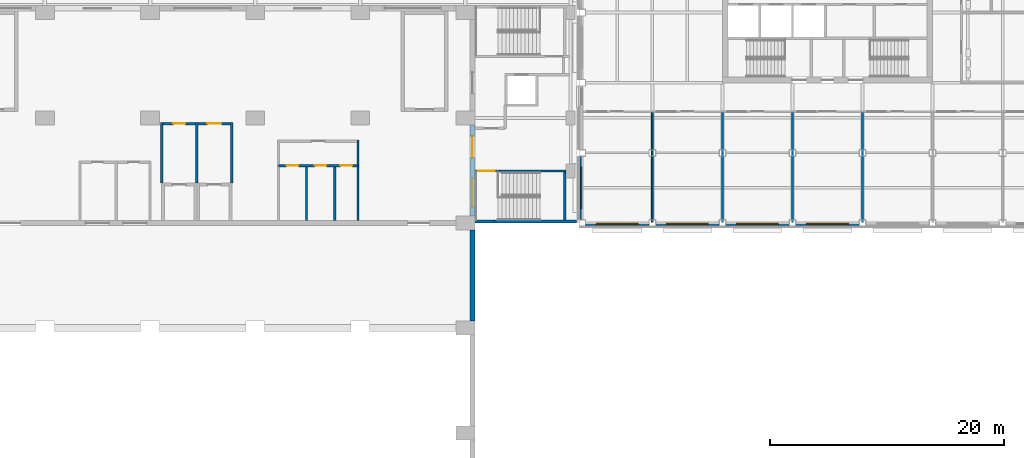
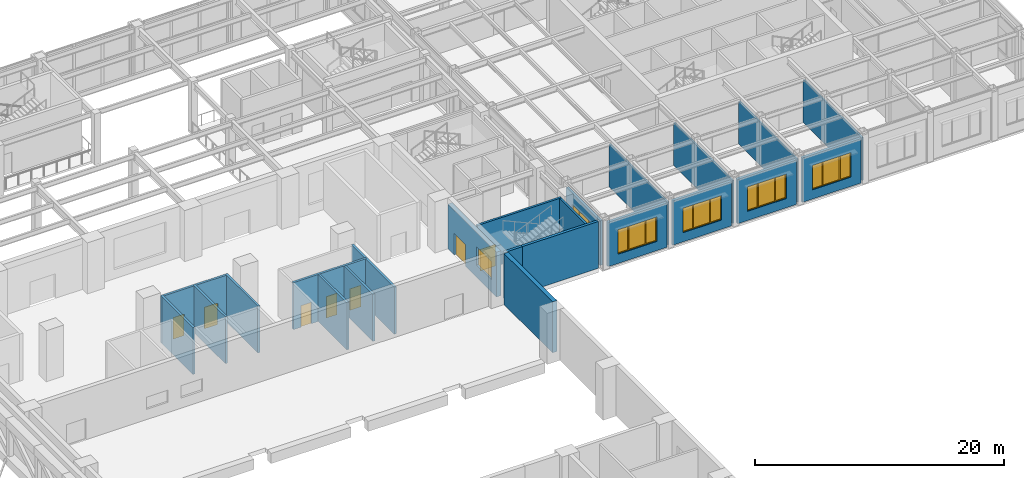
# One storey, part 39 of 76: 23 walls, 7 doors, 6 windows, 13 openings.
"""IFC4 building model written with IfcOpenShell, lengths in metres."""

from ifc_helpers import new_model, si_unit, direction, frame, frame_2d, origin, place, context, subcontext, project, spatial, polyline, rectangle, outline, extrude, material, layer, layer_set, type_object, element, fill, save


model = new_model("IFC4")

# Units and contexts
model_context = context("Model", 3, precision=1e-05, world=origin(), true_north=direction((0.0, 1.0)))
body_context = subcontext(model_context, "Body", "Model", "MODEL_VIEW")
ifc_project = project(units=[si_unit("LENGTHUNIT", "METRE"), si_unit("AREAUNIT", "SQUARE_METRE"), si_unit("VOLUMEUNIT", "CUBIC_METRE"), si_unit("PLANEANGLEUNIT", "RADIAN"), si_unit("MASSUNIT", "GRAM", prefix="KILO")], contexts=[model_context])

# Site, building, storey
site_placement = place(None, origin())
site = spatial("IfcSite", under=ifc_project, at=site_placement, CompositionType="ELEMENT")
building_placement = place(site_placement, origin())
building = spatial("IfcBuilding", under=site, at=building_placement, Name="Aravalli Gate Trade Fair Centre", CompositionType="ELEMENT")
storey_placement = place(building_placement, frame((0.0, 0.0, 10.0)))
storey = spatial("IfcBuildingStorey", under=building, at=storey_placement, Name="L02", CompositionType="ELEMENT", Elevation=10.0)

# Wall
ifc_material_1 = material(Name="Concrete M40", Category="concrete")
ifc_layer_1 = layer(ifc_material_1, 0.25, Name="Structural wall")
ifc_material_2 = material(Name="Ventilated air cavity")
ifc_layer_2 = layer(ifc_material_2, 0.050048828125, ventilated=True, Name="Ventilated cavity")
ifc_material_3 = material(Name="Terracotta rainscreen", Category="masonry")
ifc_layer_3 = layer(ifc_material_3, 0.10009765625, Name="Rainscreen cladding")
ifc_layer_set_1 = layer_set([ifc_layer_1, ifc_layer_2, ifc_layer_3], Name="Congress external wall 400")
wall_type_1 = type_object("IfcWallType", Name="Congress external wall 400", PredefinedType="SOLIDWALL", material=ifc_layer_set_1)
wall_1_placement = place(storey_placement, frame((150.60009765625, 82.60009765625, 0.0), z_axis=(0.0, 0.0, 1.0), x_axis=(0.0, 1.0, 0.0)))
element("IfcWall", 1, at=wall_1_placement, inside=storey, type_object=wall_type_1, Name="East wall L02 bay 5", PredefinedType="SOLIDWALL", context=body_context, shape_type="SweptSolid", body=[
    extrude(rectangle(XDim=7.7998046875, YDim=0.39990234375, at=frame_2d((3.89990234375, 0.0))), origin(), (0.0, 0.0, 1.0), 5.0),
])

# Wall, openings, door, window
wall_2_placement = place(storey_placement, frame((150.60009765625, 91.60009765625, 0.0), z_axis=(0.0, 0.0, 1.0), x_axis=(0.0, 1.0, 0.0)))
wall_2 = element("IfcWall", 2, at=wall_2_placement, inside=storey, type_object=wall_type_1, Name="East wall L02 bay 6", PredefinedType="SOLIDWALL", context=body_context, shape_type="SweptSolid", body=[
    extrude(rectangle(XDim=7.7998046875, YDim=0.39990234375, at=frame_2d((3.89990234375, 0.0))), origin(), (0.0, 0.0, 1.0), 4.39990234375),
])
opening_1_placement = place(wall_2_placement, frame((5.0, 0.0, 0.0)))
opening_1 = element("IfcOpeningElement", 3, at=opening_1_placement, cuts=wall_2, Name="Opening G-L02-01", PredefinedType="OPENING", context=body_context, shape_type="SweptSolid", body=[
    extrude(rectangle(XDim=1.800048828125, YDim=2.10009765625, at=frame_2d((0.89990234375, 1.050048828125))), frame((0.0, 0.2099609375, 0.0), z_axis=(0.0, -1.0, 0.0), x_axis=(1.0, 0.0, 0.0)), (0.0, 0.0, 1.0), 0.419921875),
])
opening_2_placement = place(wall_2_placement, frame((0.800048828125, 0.0, 1.199951171875)))
opening_2 = element("IfcOpeningElement", 4, at=opening_2_placement, cuts=wall_2, Name="Opening GWN4", PredefinedType="OPENING", context=body_context, shape_type="SweptSolid", body=[
    extrude(rectangle(XDim=2.39990234375, YDim=1.800048828125, at=frame_2d((1.199951171875, 0.89990234375))), frame((0.0, 0.2099609375, 0.0), z_axis=(0.0, -1.0, 0.0), x_axis=(1.0, 0.0, 0.0)), (0.0, 0.0, 1.0), 0.419921875),
])
ifc_material_4 = material(Name="Steel, fire rated", Category="steel")
door_type_1 = type_object("IfcDoorType", Name="Congress fire door FD120 1800 x 2100 double door single swing", OperationType="DOUBLE_DOOR_SINGLE_SWING", PredefinedType="DOOR", material=ifc_material_4)
door_1_placement = place(opening_1_placement, origin())
door_1 = element("IfcDoor", 5, at=door_1_placement, inside=storey, type_object=door_type_1, Name="Link door L02 1", OperationType="DOUBLE_DOOR_SINGLE_SWING", OverallHeight=2.10009765625, OverallWidth=1.800048828125, PredefinedType="DOOR", context=body_context, shape_type="SweptSolid", body=[
    extrude(rectangle(XDim=1.800048828125, YDim=2.10009765625, at=frame_2d((0.89990234375, 1.050048828125))), frame((0.0, 0.02490234375, 0.0), z_axis=(0.0, -1.0, 0.0), x_axis=(1.0, 0.0, 0.0)), (0.0, 0.0, 1.0), 0.050048828125),
])
fill(opening_1, door_1)
ifc_material_5 = material(Name="Aluminium and glass", Category="aluminium")
window_type_1 = type_object("IfcWindowType", Name="Congress wing window 2400 x 1800", PartitioningType="DOUBLE_PANEL_VERTICAL", PredefinedType="WINDOW", material=ifc_material_5)
window_1_placement = place(opening_2_placement, origin())
window_1 = element("IfcWindow", 6, at=window_1_placement, inside=storey, type_object=window_type_1, Name="East window L02 bay 6", OverallHeight=1.800048828125, OverallWidth=2.39990234375, PartitioningType="SINGLE_PANEL", PredefinedType="WINDOW", context=body_context, shape_type="SweptSolid", body=[
    extrude(rectangle(XDim=2.39990234375, YDim=1.800048828125, at=frame_2d((1.199951171875, 0.89990234375))), frame((0.0, 0.030029296875, 0.0), z_axis=(0.0, -1.0, 0.0), x_axis=(1.0, 0.0, 0.0)), (0.0, 0.0, 1.0), 0.06005859375),
])
fill(opening_2, window_1)

# Walls
ifc_material_6 = material(Name="Concrete block masonry", Category="masonry")
ifc_layer_4 = layer(ifc_material_6, 0.199951171875)
ifc_layer_set_2 = layer_set([ifc_layer_4], Name="Concrete block masonry")
wall_type_2 = type_object("IfcWallType", Name="Congress partition 200", PredefinedType="PARTITIONING", material=ifc_layer_set_2)
for number, where, z_axis, x_axis, name in (
    (7, (124.0, 94.39990234375, 0.0), (0.0, 0.0, 1.0), (0.0, 1.0, 0.0), "Lift lobby wall W L02"),
    (8, (127.0, 94.39990234375, 0.0), (0.0, 0.0, 1.0), (0.0, 1.0, 0.0), "Lift lobby wall M L02"),
    (9, (130.0, 94.39990234375, 0.0), (0.0, 0.0, 1.0), (0.0, 1.0, 0.0), "Lift lobby wall E L02"),
):
    element("IfcWall", number, at=place(storey_placement, frame(where, z_axis=z_axis, x_axis=x_axis)), inside=storey, type_object=wall_type_2, Name=name, PredefinedType="PARTITIONING", context=body_context, shape_type="SweptSolid", body=[
        extrude(rectangle(XDim=5.2001953125, YDim=0.199951171875, at=frame_2d((2.60009765625, 0.0))), origin(), (0.0, 0.0, 1.0), 4.60009765625),
    ])

# Wall, openings, doors
wall_3_placement = place(storey_placement, frame((123.89990234375, 99.5, 0.0), z_axis=(0.0, 0.0, 1.0), x_axis=(1.0, 0.0, 0.0)))
wall_3 = element("IfcWall", 10, at=wall_3_placement, inside=storey, type_object=wall_type_2, Name="Lift lobby wall N L02", PredefinedType="PARTITIONING", context=body_context, shape_type="SweptSolid", body=[
    extrude(rectangle(XDim=6.2001953125, YDim=0.199951171875, at=frame_2d((3.10009765625, 0.0))), origin(), (0.0, 0.0, 1.0), 4.60009765625),
])
opening_3_placement = place(wall_3_placement, frame((1.10009765625, 0.0, 0.0)))
opening_3 = element("IfcOpeningElement", 11, at=opening_3_placement, cuts=wall_3, Name="Opening G-L02-11", PredefinedType="OPENING", context=body_context, shape_type="SweptSolid", body=[
    extrude(rectangle(XDim=1.0, YDim=2.10009765625, at=frame_2d((0.5, 1.050048828125))), frame((0.0, 0.10986328125, 0.0), z_axis=(0.0, -1.0, 0.0), x_axis=(1.0, 0.0, 0.0)), (0.0, 0.0, 1.0), 0.219970703125),
])
opening_4_placement = place(wall_3_placement, frame((4.0, 0.0, 0.0)))
opening_4 = element("IfcOpeningElement", 12, at=opening_4_placement, cuts=wall_3, Name="Opening G-L02-12", PredefinedType="OPENING", context=body_context, shape_type="SweptSolid", body=[
    extrude(rectangle(XDim=1.199951171875, YDim=2.10009765625, at=frame_2d((0.60009765625, 1.050048828125))), frame((0.0, 0.10986328125, 0.0), z_axis=(0.0, -1.0, 0.0), x_axis=(1.0, 0.0, 0.0)), (0.0, 0.0, 1.0), 0.219970703125),
])
door_type_2 = type_object("IfcDoorType", Name="Congress fire door FD120 1200 x 2100", OperationType="SINGLE_SWING_LEFT", PredefinedType="DOOR", material=ifc_material_4)
door_2_placement = place(opening_4_placement, frame((1.199951171875, 0.0, 0.0), z_axis=(0.0, 0.0, 1.0), x_axis=(-1.0, 0.0, 0.0)))
door_2 = element("IfcDoor", 13, at=door_2_placement, inside=storey, type_object=door_type_2, Name="Firefighting lobby door L02", OperationType="SINGLE_SWING_LEFT", OverallHeight=2.10009765625, OverallWidth=1.199951171875, PredefinedType="DOOR", context=body_context, shape_type="SweptSolid", body=[
    extrude(rectangle(XDim=1.199951171875, YDim=2.10009765625, at=frame_2d((0.60009765625, 1.050048828125))), frame((0.0, 0.02490234375, 0.0), z_axis=(0.0, -1.0, 0.0), x_axis=(1.0, 0.0, 0.0)), (0.0, 0.0, 1.0), 0.050048828125),
])
fill(opening_4, door_2)
door_type_3 = type_object("IfcDoorType", Name="Congress fire door FD60 1000 x 2100", OperationType="SINGLE_SWING_LEFT", PredefinedType="DOOR", material=ifc_material_4)
door_3_placement = place(opening_3_placement, origin())
door_3 = element("IfcDoor", 14, at=door_3_placement, inside=storey, type_object=door_type_3, Name="Lift lobby door L02", OperationType="SINGLE_SWING_LEFT", OverallHeight=2.10009765625, OverallWidth=1.0, PredefinedType="DOOR", context=body_context, shape_type="SweptSolid", body=[
    extrude(rectangle(XDim=1.0, YDim=2.10009765625, at=frame_2d((0.5, 1.050048828125))), frame((0.0, 0.02490234375, 0.0), z_axis=(0.0, -1.0, 0.0), x_axis=(1.0, 0.0, 0.0)), (0.0, 0.0, 1.0), 0.050048828125),
])
fill(opening_3, door_3)

# Wall
wall_4_placement = place(storey_placement, frame((140.800048828125, 91.199951171875, 0.0), z_axis=(0.0, 0.0, 1.0), x_axis=(0.0, 1.0, 0.0)))
element("IfcWall", 15, at=wall_4_placement, inside=storey, type_object=wall_type_2, Name="WC block wall E L02", PredefinedType="PARTITIONING", context=body_context, shape_type="SweptSolid", body=[
    extrude(rectangle(XDim=6.900146484375, YDim=0.199951171875, at=frame_2d((3.4501953125, 0.0))), origin(), (0.0, 0.0, 1.0), 4.60009765625),
])

# Wall, openings, doors
wall_5_placement = place(storey_placement, frame((134.0, 95.89990234375, 0.0), z_axis=(0.0, 0.0, 1.0), x_axis=(1.0, 0.0, 0.0)))
wall_5 = element("IfcWall", 16, at=wall_5_placement, inside=storey, type_object=wall_type_2, Name="WC block partition L02", PredefinedType="PARTITIONING", context=body_context, shape_type="SweptSolid", body=[
    extrude(rectangle(XDim=6.800048828125, YDim=0.199951171875, at=frame_2d((3.39990234375, 0.0))), origin(), (0.0, 0.0, 1.0), 4.60009765625),
])
opening_5_placement = place(wall_5_placement, frame((0.699951171875, 0.0, 0.0)))
opening_5 = element("IfcOpeningElement", 17, at=opening_5_placement, cuts=wall_5, Name="Opening G-L02-14", PredefinedType="OPENING", context=body_context, shape_type="SweptSolid", body=[
    extrude(rectangle(XDim=1.0, YDim=2.10009765625, at=frame_2d((0.5, 1.050048828125))), frame((0.0, 0.10986328125, 0.0), z_axis=(0.0, -1.0, 0.0), x_axis=(1.0, 0.0, 0.0)), (0.0, 0.0, 1.0), 0.219970703125),
])
opening_6_placement = place(wall_5_placement, frame((3.10009765625, 0.0, 0.0)))
opening_6 = element("IfcOpeningElement", 18, at=opening_6_placement, cuts=wall_5, Name="Opening G-L02-15", PredefinedType="OPENING", context=body_context, shape_type="SweptSolid", body=[
    extrude(rectangle(XDim=1.0, YDim=2.10009765625, at=frame_2d((0.5, 1.050048828125))), frame((0.0, 0.10986328125, 0.0), z_axis=(0.0, -1.0, 0.0), x_axis=(1.0, 0.0, 0.0)), (0.0, 0.0, 1.0), 0.219970703125),
])
opening_7_placement = place(wall_5_placement, frame((5.300048828125, 0.0, 0.0)))
opening_7 = element("IfcOpeningElement", 19, at=opening_7_placement, cuts=wall_5, Name="Opening G-L02-16", PredefinedType="OPENING", context=body_context, shape_type="SweptSolid", body=[
    extrude(rectangle(XDim=1.0, YDim=2.10009765625, at=frame_2d((0.5, 1.050048828125))), frame((0.0, 0.10986328125, 0.0), z_axis=(0.0, -1.0, 0.0), x_axis=(1.0, 0.0, 0.0)), (0.0, 0.0, 1.0), 0.219970703125),
])
ifc_material_7 = material(Name="Timber and steel", Category="steel")
door_type_4 = type_object("IfcDoorType", Name="Congress door 1000 x 2100", OperationType="SINGLE_SWING_LEFT", PredefinedType="DOOR", material=ifc_material_7)
door_4_placement = place(opening_5_placement, frame((1.0, 0.0, 0.0), z_axis=(0.0, 0.0, 1.0), x_axis=(-1.0, 0.0, 0.0)))
door_4 = element("IfcDoor", 20, at=door_4_placement, inside=storey, type_object=door_type_4, Name="Gents WC door L02", OperationType="SINGLE_SWING_RIGHT", OverallHeight=2.10009765625, OverallWidth=1.0, PredefinedType="DOOR", context=body_context, shape_type="SweptSolid", body=[
    extrude(rectangle(XDim=1.0, YDim=2.10009765625, at=frame_2d((0.5, 1.050048828125))), frame((0.0, 0.02490234375, 0.0), z_axis=(0.0, -1.0, 0.0), x_axis=(1.0, 0.0, 0.0)), (0.0, 0.0, 1.0), 0.050048828125),
])
fill(opening_5, door_4)
door_5_placement = place(opening_6_placement, frame((1.0, 0.0, 0.0), z_axis=(0.0, 0.0, 1.0), x_axis=(-1.0, 0.0, 0.0)))
door_5 = element("IfcDoor", 21, at=door_5_placement, inside=storey, type_object=door_type_4, Name="Ladies WC door L02", OperationType="SINGLE_SWING_LEFT", OverallHeight=2.10009765625, OverallWidth=1.0, PredefinedType="DOOR", context=body_context, shape_type="SweptSolid", body=[
    extrude(rectangle(XDim=1.0, YDim=2.10009765625, at=frame_2d((0.5, 1.050048828125))), frame((0.0, 0.02490234375, 0.0), z_axis=(0.0, -1.0, 0.0), x_axis=(1.0, 0.0, 0.0)), (0.0, 0.0, 1.0), 0.050048828125),
])
fill(opening_6, door_5)
door_6_placement = place(opening_7_placement, frame((1.0, 0.0, 0.0), z_axis=(0.0, 0.0, 1.0), x_axis=(-1.0, 0.0, 0.0)))
door_6 = element("IfcDoor", 22, at=door_6_placement, inside=storey, type_object=door_type_4, Name="Accessible WC door L02", OperationType="SINGLE_SWING_LEFT", OverallHeight=2.10009765625, OverallWidth=1.0, PredefinedType="DOOR", context=body_context, shape_type="SweptSolid", body=[
    extrude(rectangle(XDim=1.0, YDim=2.10009765625, at=frame_2d((0.5, 1.050048828125))), frame((0.0, 0.02490234375, 0.0), z_axis=(0.0, -1.0, 0.0), x_axis=(1.0, 0.0, 0.0)), (0.0, 0.0, 1.0), 0.050048828125),
])
fill(opening_7, door_6)

# Walls
for number, where, z_axis, x_axis, name in (
    (23, (136.39990234375, 91.199951171875, 0.0), (0.0, 0.0, 1.0), (0.0, 1.0, 0.0), "WC partition 1 L02"),
    (24, (138.800048828125, 91.199951171875, 0.0), (0.0, 0.0, 1.0), (0.0, 1.0, 0.0), "WC partition 2 L02"),
):
    element("IfcWall", number, at=place(storey_placement, frame(where, z_axis=z_axis, x_axis=x_axis)), inside=storey, type_object=wall_type_2, Name=name, PredefinedType="PARTITIONING", context=body_context, shape_type="SweptSolid", body=[
        extrude(rectangle(XDim=4.60009765625, YDim=0.199951171875, at=frame_2d((2.300048828125, 0.0))), origin(), (0.0, 0.0, 1.0), 4.60009765625),
    ])
ifc_material_8 = material(Name="Concrete M30", Category="concrete")
ifc_layer_5 = layer(ifc_material_8, 0.2099609375, Name="Reinforced concrete")
ifc_material_9 = material(Name="Terracotta cladding", Category="masonry")
ifc_layer_6 = layer(ifc_material_9, 0.0400390625, Name="Terracotta cladding")
ifc_layer_set_3 = layer_set([ifc_layer_5, ifc_layer_6], Name="Link external wall 250")
wall_type_3 = type_object("IfcWallType", Name="Link external wall 250", PredefinedType="SOLIDWALL", material=ifc_layer_set_3)
wall_6_placement = place(storey_placement, frame((150.800048828125, 91.125, 0.0), z_axis=(0.0, 0.0, 1.0), x_axis=(1.0, 0.0, 0.0)))
element("IfcWall", 25, at=wall_6_placement, inside=storey, type_object=wall_type_3, Name="Link wall S1 L02", PredefinedType="SOLIDWALL", context=body_context, shape_type="SweptSolid", body=[
    extrude(rectangle(XDim=1.64990234375, YDim=0.25, at=frame_2d((0.824951171875, 0.0))), origin(), (0.0, 0.0, 1.0), 4.590087890625),
])
wall_7_placement = place(storey_placement, frame((152.449951171875, 91.125, 0.0), z_axis=(0.0, 0.0, 1.0), x_axis=(1.0, 0.0, 0.0)))
element("IfcWall", 26, at=wall_7_placement, inside=storey, type_object=wall_type_3, Name="Link wall S2 L02", PredefinedType="SOLIDWALL", context=body_context, shape_type="SweptSolid", body=[
    extrude(rectangle(XDim=7.050048828125, YDim=0.25, at=frame_2d((3.52490234375, 0.0))), origin(), (0.0, 0.0, 1.0), 4.590087890625),
])

# Wall, opening, door
ifc_layer_7 = layer(ifc_material_8, 0.199951171875)
ifc_layer_set_4 = layer_set([ifc_layer_7], Name="Concrete M30")
wall_type_4 = type_object("IfcWallType", Name="Link stair enclosure 200", PredefinedType="SOLIDWALL", material=ifc_layer_set_4)
wall_8_placement = place(storey_placement, frame((150.800048828125, 95.449951171875, 0.0), z_axis=(0.0, 0.0, 1.0), x_axis=(1.0, 0.0, 0.0)))
wall_8 = element("IfcWall", 27, at=wall_8_placement, inside=storey, type_object=wall_type_4, Name="Link wall LAN L02", PredefinedType="SOLIDWALL", context=body_context, shape_type="SweptSolid", body=[
    extrude(rectangle(XDim=7.800048828125, YDim=0.199951171875, at=frame_2d((3.89990234375, 0.0))), origin(), (0.0, 0.0, 1.0), 4.590087890625),
])
opening_8_placement = place(wall_8_placement, frame((0.300048828125, 0.0, 0.0)))
opening_8 = element("IfcOpeningElement", 28, at=opening_8_placement, cuts=wall_8, Name="Opening T-L02-191", PredefinedType="OPENING", context=body_context, shape_type="SweptSolid", body=[
    extrude(rectangle(XDim=1.39990234375, YDim=2.10009765625, at=frame_2d((0.699951171875, 1.050048828125))), frame((0.0, 0.10986328125, 0.0), z_axis=(0.0, -1.0, 0.0), x_axis=(1.0, 0.0, 0.0)), (0.0, 0.0, 1.0), 0.219970703125),
])
door_type_5 = type_object("IfcDoorType", Name="Wing fire door FD120 1400 x 2100", OperationType="DOUBLE_DOOR_SINGLE_SWING", PredefinedType="DOOR", material=ifc_material_4)
door_7_placement = place(opening_8_placement, frame((1.39990234375, 0.0, 0.0), z_axis=(0.0, 0.0, 1.0), x_axis=(-1.0, 0.0, 0.0)))
door_7 = element("IfcDoor", 29, at=door_7_placement, inside=storey, type_object=door_type_5, Name="Link door T-L02-191", OperationType="DOUBLE_DOOR_SINGLE_SWING", OverallHeight=2.10009765625, OverallWidth=1.39990234375, PredefinedType="DOOR", context=body_context, shape_type="SweptSolid", body=[
    extrude(rectangle(XDim=1.39990234375, YDim=2.10009765625, at=frame_2d((0.699951171875, 1.050048828125))), frame((0.0, 0.02490234375, 0.0), z_axis=(0.0, -1.0, 0.0), x_axis=(1.0, 0.0, 0.0)), (0.0, 0.0, 1.0), 0.050048828125),
])
fill(opening_8, door_7)

# Walls
wall_9_placement = place(storey_placement, frame((158.5, 91.25, 0.0), z_axis=(0.0, 0.0, 1.0), x_axis=(0.0, 1.0, 0.0)))
element("IfcWall", 30, at=wall_9_placement, inside=storey, type_object=wall_type_4, Name="Link wall LAE L02", PredefinedType="SOLIDWALL", context=body_context, shape_type="SweptSolid", body=[
    extrude(rectangle(XDim=4.10009765625, YDim=0.199951171875, at=frame_2d((2.050048828125, 0.0))), origin(), (0.0, 0.0, 1.0), 4.590087890625),
])
ifc_material_10 = material(Name="Blockwork with fire-rated lining", Category="masonry")
ifc_layer_8 = layer(ifc_material_10, 0.14990234375)
ifc_layer_set_5 = layer_set([ifc_layer_8], Name="Blockwork with fire-rated lining")
wall_type_5 = type_object("IfcWallType", Name="Wing partition 150 (EI 60, corridor wall)", PredefinedType="PARTITIONING", material=ifc_layer_set_5)
for number, where, z_axis, x_axis, name in (
    (31, (166.0, 91.050048828125, 0.0), (0.0, 0.0, 1.0), (0.0, 1.0, 0.0), "Partition SP1 L02"),
    (32, (172.0, 91.050048828125, 0.0), (0.0, 0.0, 1.0), (0.0, 1.0, 0.0), "Partition SP2 L02"),
    (33, (178.0, 91.050048828125, 0.0), (0.0, 0.0, 1.0), (0.0, 1.0, 0.0), "Partition SP3 L02"),
    (34, (184.0, 91.050048828125, 0.0), (0.0, 0.0, 1.0), (0.0, 1.0, 0.0), "Partition SP4 L02"),
):
    element("IfcWall", number, at=place(storey_placement, frame(where, z_axis=z_axis, x_axis=x_axis)), inside=storey, type_object=wall_type_5, Name=name, PredefinedType="PARTITIONING", context=body_context, shape_type="SweptSolid", body=[
        extrude(rectangle(XDim=9.39990234375, YDim=0.14990234375, at=frame_2d((4.699951171875, 0.0))), origin(), (0.0, 0.0, 1.0), 4.199951171875),
    ])

# Wall, opening, window
ifc_layer_9 = layer(ifc_material_6, 0.2099609375, Name="Block masonry")
ifc_layer_10 = layer(ifc_material_9, 0.0400390625, Name="Terracotta cladding")
ifc_layer_set_6 = layer_set([ifc_layer_9, ifc_layer_10], Name="Wing terracotta clad infill wall 250")
wall_type_6 = type_object("IfcWallType", Name="Wing terracotta clad infill wall 250", PredefinedType="SOLIDWALL", material=ifc_layer_set_6)
wall_10_placement = place(storey_placement, frame((160.27490234375, 90.925048828125, 0.0), z_axis=(0.0, 0.0, 1.0), x_axis=(1.0, 0.0, 0.0)))
wall_10 = element("IfcWall", 35, at=wall_10_placement, inside=storey, type_object=wall_type_6, Name="Facade wall S0 L02", PredefinedType="SOLIDWALL", context=body_context, shape_type="SweptSolid", body=[
    extrude(rectangle(XDim=5.4501953125, YDim=0.25, at=frame_2d((2.72509765625, 0.0))), origin(), (0.0, 0.0, 1.0), 4.35009765625),
])
opening_9_placement = place(wall_10_placement, frame((0.925048828125, 0.0, 0.89990234375)))
opening_9 = element("IfcOpeningElement", 36, at=opening_9_placement, cuts=wall_10, Name="Opening TWN1", PredefinedType="OPENING", context=body_context, shape_type="SweptSolid", body=[
    extrude(rectangle(XDim=3.60009765625, YDim=2.39990234375, at=frame_2d((1.800048828125, 1.199951171875))), frame((0.0, 0.135009765625, 0.0), z_axis=(0.0, -1.0, 0.0), x_axis=(1.0, 0.0, 0.0)), (0.0, 0.0, 1.0), 0.27001953125),
])
window_type_2 = type_object("IfcWindowType", Name="Wing chicago window 3600 x 2400", PartitioningType="TRIPLE_PANEL_VERTICAL", PredefinedType="WINDOW", material=ifc_material_5)
window_2_placement = place(opening_9_placement, origin())
window_2 = element("IfcWindow", 37, at=window_2_placement, inside=storey, type_object=window_type_2, Name="Window S0 L02", OverallHeight=2.39990234375, OverallWidth=3.60009765625, PartitioningType="TRIPLE_PANEL_VERTICAL", PredefinedType="WINDOW", context=body_context, shape_type="SweptSolid", body=[
    extrude(outline(polyline([(0.0, 0.0), (3.60009765625, 0.0), (3.60009765625, 2.39990234375), (0.0, 2.39990234375), (0.0, 0.0)]), holes=[polyline([(0.06005859375, 0.06005859375), (0.9599609375, 0.06005859375), (0.9599609375, 2.33984375), (0.06005859375, 2.33984375), (0.06005859375, 0.06005859375)]), polyline([(1.06005859375, 0.06005859375), (2.539794921875, 0.06005859375), (2.539794921875, 2.33984375), (1.06005859375, 2.33984375), (1.06005859375, 0.06005859375)]), polyline([(2.639892578125, 0.06005859375), (3.539794921875, 0.06005859375), (3.539794921875, 2.33984375), (2.639892578125, 2.33984375), (2.639892578125, 0.06005859375)])]), frame((0.0, 0.030029296875, 0.0), z_axis=(0.0, -1.0, 0.0), x_axis=(1.0, 0.0, 0.0)), (0.0, 0.0, 1.0), 0.06005859375),
    extrude(rectangle(XDim=0.923828125, YDim=2.3037109375, at=frame_2d((0.510009765625, 1.199951171875))), frame((0.0, 0.010009765625, 0.0), z_axis=(0.0, -1.0, 0.0), x_axis=(1.0, 0.0, 0.0)), (0.0, 0.0, 1.0), 0.02001953125),
    extrude(rectangle(XDim=1.503662109375, YDim=2.3037109375, at=frame_2d((1.7998046875, 1.199951171875))), frame((0.0, 0.010009765625, 0.0), z_axis=(0.0, -1.0, 0.0), x_axis=(1.0, 0.0, 0.0)), (0.0, 0.0, 1.0), 0.02001953125),
    extrude(rectangle(XDim=0.923828125, YDim=2.3037109375, at=frame_2d((3.08984375, 1.199951171875))), frame((0.0, 0.010009765625, 0.0), z_axis=(0.0, -1.0, 0.0), x_axis=(1.0, 0.0, 0.0)), (0.0, 0.0, 1.0), 0.02001953125),
])
fill(opening_9, window_2)

wall_11_placement = place(storey_placement, frame((166.27490234375, 90.925048828125, 0.0), z_axis=(0.0, 0.0, 1.0), x_axis=(1.0, 0.0, 0.0)))
wall_11 = element("IfcWall", 38, at=wall_11_placement, inside=storey, type_object=wall_type_6, Name="Facade wall S1 L02", PredefinedType="SOLIDWALL", context=body_context, shape_type="SweptSolid", body=[
    extrude(rectangle(XDim=5.4501953125, YDim=0.25, at=frame_2d((2.72509765625, 0.0))), origin(), (0.0, 0.0, 1.0), 4.35009765625),
])
opening_10_placement = place(wall_11_placement, frame((0.925048828125, 0.0, 0.89990234375)))
opening_10 = element("IfcOpeningElement", 39, at=opening_10_placement, cuts=wall_11, Name="Opening TWN1", PredefinedType="OPENING", context=body_context, shape_type="SweptSolid", body=[
    extrude(rectangle(XDim=3.60009765625, YDim=2.39990234375, at=frame_2d((1.800048828125, 1.199951171875))), frame((0.0, 0.135009765625, 0.0), z_axis=(0.0, -1.0, 0.0), x_axis=(1.0, 0.0, 0.0)), (0.0, 0.0, 1.0), 0.27001953125),
])
window_3_placement = place(opening_10_placement, origin())
window_3 = element("IfcWindow", 40, at=window_3_placement, inside=storey, type_object=window_type_2, Name="Window S1 L02", OverallHeight=2.39990234375, OverallWidth=3.60009765625, PartitioningType="TRIPLE_PANEL_VERTICAL", PredefinedType="WINDOW", context=body_context, shape_type="SweptSolid", body=[
    extrude(outline(polyline([(0.0, 0.0), (3.60009765625, 0.0), (3.60009765625, 2.39990234375), (0.0, 2.39990234375), (0.0, 0.0)]), holes=[polyline([(0.06005859375, 0.06005859375), (0.9599609375, 0.06005859375), (0.9599609375, 2.33984375), (0.06005859375, 2.33984375), (0.06005859375, 0.06005859375)]), polyline([(1.06005859375, 0.06005859375), (2.539794921875, 0.06005859375), (2.539794921875, 2.33984375), (1.06005859375, 2.33984375), (1.06005859375, 0.06005859375)]), polyline([(2.639892578125, 0.06005859375), (3.539794921875, 0.06005859375), (3.539794921875, 2.33984375), (2.639892578125, 2.33984375), (2.639892578125, 0.06005859375)])]), frame((0.0, 0.030029296875, 0.0), z_axis=(0.0, -1.0, 0.0), x_axis=(1.0, 0.0, 0.0)), (0.0, 0.0, 1.0), 0.06005859375),
    extrude(rectangle(XDim=0.923828125, YDim=2.3037109375, at=frame_2d((0.510009765625, 1.199951171875))), frame((0.0, 0.010009765625, 0.0), z_axis=(0.0, -1.0, 0.0), x_axis=(1.0, 0.0, 0.0)), (0.0, 0.0, 1.0), 0.02001953125),
    extrude(rectangle(XDim=1.503662109375, YDim=2.3037109375, at=frame_2d((1.7998046875, 1.199951171875))), frame((0.0, 0.010009765625, 0.0), z_axis=(0.0, -1.0, 0.0), x_axis=(1.0, 0.0, 0.0)), (0.0, 0.0, 1.0), 0.02001953125),
    extrude(rectangle(XDim=0.923828125, YDim=2.3037109375, at=frame_2d((3.08984375, 1.199951171875))), frame((0.0, 0.010009765625, 0.0), z_axis=(0.0, -1.0, 0.0), x_axis=(1.0, 0.0, 0.0)), (0.0, 0.0, 1.0), 0.02001953125),
])
fill(opening_10, window_3)

wall_12_placement = place(storey_placement, frame((172.27490234375, 90.925048828125, 0.0), z_axis=(0.0, 0.0, 1.0), x_axis=(1.0, 0.0, 0.0)))
wall_12 = element("IfcWall", 41, at=wall_12_placement, inside=storey, type_object=wall_type_6, Name="Facade wall S2 L02", PredefinedType="SOLIDWALL", context=body_context, shape_type="SweptSolid", body=[
    extrude(rectangle(XDim=5.4501953125, YDim=0.25, at=frame_2d((2.72509765625, 0.0))), origin(), (0.0, 0.0, 1.0), 4.35009765625),
])
opening_11_placement = place(wall_12_placement, frame((0.925048828125, 0.0, 0.89990234375)))
opening_11 = element("IfcOpeningElement", 42, at=opening_11_placement, cuts=wall_12, Name="Opening TWN1", PredefinedType="OPENING", context=body_context, shape_type="SweptSolid", body=[
    extrude(rectangle(XDim=3.60009765625, YDim=2.39990234375, at=frame_2d((1.800048828125, 1.199951171875))), frame((0.0, 0.135009765625, 0.0), z_axis=(0.0, -1.0, 0.0), x_axis=(1.0, 0.0, 0.0)), (0.0, 0.0, 1.0), 0.27001953125),
])
window_4_placement = place(opening_11_placement, origin())
window_4 = element("IfcWindow", 43, at=window_4_placement, inside=storey, type_object=window_type_2, Name="Window S2 L02", OverallHeight=2.39990234375, OverallWidth=3.60009765625, PartitioningType="TRIPLE_PANEL_VERTICAL", PredefinedType="WINDOW", context=body_context, shape_type="SweptSolid", body=[
    extrude(outline(polyline([(0.0, 0.0), (3.60009765625, 0.0), (3.60009765625, 2.39990234375), (0.0, 2.39990234375), (0.0, 0.0)]), holes=[polyline([(0.06005859375, 0.06005859375), (0.9599609375, 0.06005859375), (0.9599609375, 2.33984375), (0.06005859375, 2.33984375), (0.06005859375, 0.06005859375)]), polyline([(1.06005859375, 0.06005859375), (2.539794921875, 0.06005859375), (2.539794921875, 2.33984375), (1.06005859375, 2.33984375), (1.06005859375, 0.06005859375)]), polyline([(2.639892578125, 0.06005859375), (3.539794921875, 0.06005859375), (3.539794921875, 2.33984375), (2.639892578125, 2.33984375), (2.639892578125, 0.06005859375)])]), frame((0.0, 0.030029296875, 0.0), z_axis=(0.0, -1.0, 0.0), x_axis=(1.0, 0.0, 0.0)), (0.0, 0.0, 1.0), 0.06005859375),
    extrude(rectangle(XDim=0.923828125, YDim=2.3037109375, at=frame_2d((0.510009765625, 1.199951171875))), frame((0.0, 0.010009765625, 0.0), z_axis=(0.0, -1.0, 0.0), x_axis=(1.0, 0.0, 0.0)), (0.0, 0.0, 1.0), 0.02001953125),
    extrude(rectangle(XDim=1.503662109375, YDim=2.3037109375, at=frame_2d((1.7998046875, 1.199951171875))), frame((0.0, 0.010009765625, 0.0), z_axis=(0.0, -1.0, 0.0), x_axis=(1.0, 0.0, 0.0)), (0.0, 0.0, 1.0), 0.02001953125),
    extrude(rectangle(XDim=0.923828125, YDim=2.3037109375, at=frame_2d((3.08984375, 1.199951171875))), frame((0.0, 0.010009765625, 0.0), z_axis=(0.0, -1.0, 0.0), x_axis=(1.0, 0.0, 0.0)), (0.0, 0.0, 1.0), 0.02001953125),
])
fill(opening_11, window_4)

wall_13_placement = place(storey_placement, frame((178.27490234375, 90.925048828125, 0.0), z_axis=(0.0, 0.0, 1.0), x_axis=(1.0, 0.0, 0.0)))
wall_13 = element("IfcWall", 44, at=wall_13_placement, inside=storey, type_object=wall_type_6, Name="Facade wall S3 L02", PredefinedType="SOLIDWALL", context=body_context, shape_type="SweptSolid", body=[
    extrude(rectangle(XDim=5.4501953125, YDim=0.25, at=frame_2d((2.72509765625, 0.0))), origin(), (0.0, 0.0, 1.0), 4.35009765625),
])
opening_12_placement = place(wall_13_placement, frame((0.925048828125, 0.0, 0.89990234375)))
opening_12 = element("IfcOpeningElement", 45, at=opening_12_placement, cuts=wall_13, Name="Opening TWN1", PredefinedType="OPENING", context=body_context, shape_type="SweptSolid", body=[
    extrude(rectangle(XDim=3.60009765625, YDim=2.39990234375, at=frame_2d((1.800048828125, 1.199951171875))), frame((0.0, 0.135009765625, 0.0), z_axis=(0.0, -1.0, 0.0), x_axis=(1.0, 0.0, 0.0)), (0.0, 0.0, 1.0), 0.27001953125),
])
window_5_placement = place(opening_12_placement, origin())
window_5 = element("IfcWindow", 46, at=window_5_placement, inside=storey, type_object=window_type_2, Name="Window S3 L02", OverallHeight=2.39990234375, OverallWidth=3.60009765625, PartitioningType="TRIPLE_PANEL_VERTICAL", PredefinedType="WINDOW", context=body_context, shape_type="SweptSolid", body=[
    extrude(outline(polyline([(0.0, 0.0), (3.60009765625, 0.0), (3.60009765625, 2.39990234375), (0.0, 2.39990234375), (0.0, 0.0)]), holes=[polyline([(0.06005859375, 0.06005859375), (0.9599609375, 0.06005859375), (0.9599609375, 2.33984375), (0.06005859375, 2.33984375), (0.06005859375, 0.06005859375)]), polyline([(1.06005859375, 0.06005859375), (2.539794921875, 0.06005859375), (2.539794921875, 2.33984375), (1.06005859375, 2.33984375), (1.06005859375, 0.06005859375)]), polyline([(2.639892578125, 0.06005859375), (3.539794921875, 0.06005859375), (3.539794921875, 2.33984375), (2.639892578125, 2.33984375), (2.639892578125, 0.06005859375)])]), frame((0.0, 0.030029296875, 0.0), z_axis=(0.0, -1.0, 0.0), x_axis=(1.0, 0.0, 0.0)), (0.0, 0.0, 1.0), 0.06005859375),
    extrude(rectangle(XDim=0.923828125, YDim=2.3037109375, at=frame_2d((0.510009765625, 1.199951171875))), frame((0.0, 0.010009765625, 0.0), z_axis=(0.0, -1.0, 0.0), x_axis=(1.0, 0.0, 0.0)), (0.0, 0.0, 1.0), 0.02001953125),
    extrude(rectangle(XDim=1.503662109375, YDim=2.3037109375, at=frame_2d((1.7998046875, 1.199951171875))), frame((0.0, 0.010009765625, 0.0), z_axis=(0.0, -1.0, 0.0), x_axis=(1.0, 0.0, 0.0)), (0.0, 0.0, 1.0), 0.02001953125),
    extrude(rectangle(XDim=0.923828125, YDim=2.3037109375, at=frame_2d((3.08984375, 1.199951171875))), frame((0.0, 0.010009765625, 0.0), z_axis=(0.0, -1.0, 0.0), x_axis=(1.0, 0.0, 0.0)), (0.0, 0.0, 1.0), 0.02001953125),
])
fill(opening_12, window_5)

ifc_layer_11 = layer(ifc_material_6, 0.2099609375, Name="Block masonry")
ifc_layer_12 = layer(ifc_material_9, 0.0400390625, Name="Terracotta cladding")
ifc_layer_set_7 = layer_set([ifc_layer_11, ifc_layer_12], Name="Wing west closing wall 250")
wall_type_7 = type_object("IfcWallType", Name="Wing west closing wall 250", PredefinedType="SOLIDWALL", material=ifc_layer_set_7)
wall_14_placement = place(storey_placement, frame((159.925048828125, 91.27490234375, 0.0), z_axis=(0.0, 0.0, 1.0), x_axis=(0.0, 1.0, 0.0)))
wall_14 = element("IfcWall", 47, at=wall_14_placement, inside=storey, type_object=wall_type_7, Name="Facade wall W0 L02", PredefinedType="SOLIDWALL", context=body_context, shape_type="SweptSolid", body=[
    extrude(rectangle(XDim=5.4501953125, YDim=0.25, at=frame_2d((2.72509765625, 0.0))), origin(), (0.0, 0.0, 1.0), 4.35009765625),
])
opening_13_placement = place(wall_14_placement, frame((0.925048828125, 0.0, 0.89990234375)))
opening_13 = element("IfcOpeningElement", 48, at=opening_13_placement, cuts=wall_14, Name="Opening TWN1", PredefinedType="OPENING", context=body_context, shape_type="SweptSolid", body=[
    extrude(rectangle(XDim=3.60009765625, YDim=2.39990234375, at=frame_2d((1.800048828125, 1.199951171875))), frame((0.0, 0.135009765625, 0.0), z_axis=(0.0, -1.0, 0.0), x_axis=(1.0, 0.0, 0.0)), (0.0, 0.0, 1.0), 0.27001953125),
])
window_6_placement = place(opening_13_placement, origin())
window_6 = element("IfcWindow", 49, at=window_6_placement, inside=storey, type_object=window_type_2, Name="Window W0 L02", OverallHeight=2.39990234375, OverallWidth=3.60009765625, PartitioningType="TRIPLE_PANEL_VERTICAL", PredefinedType="WINDOW", context=body_context, shape_type="SweptSolid", body=[
    extrude(outline(polyline([(0.0, 0.0), (3.60009765625, 0.0), (3.60009765625, 2.39990234375), (0.0, 2.39990234375), (0.0, 0.0)]), holes=[polyline([(0.06005859375, 0.06005859375), (0.9599609375, 0.06005859375), (0.9599609375, 2.33984375), (0.06005859375, 2.33984375), (0.06005859375, 0.06005859375)]), polyline([(1.06005859375, 0.06005859375), (2.539794921875, 0.06005859375), (2.539794921875, 2.33984375), (1.06005859375, 2.33984375), (1.06005859375, 0.06005859375)]), polyline([(2.639892578125, 0.06005859375), (3.539794921875, 0.06005859375), (3.539794921875, 2.33984375), (2.639892578125, 2.33984375), (2.639892578125, 0.06005859375)])]), frame((0.0, 0.030029296875, 0.0), z_axis=(0.0, -1.0, 0.0), x_axis=(1.0, 0.0, 0.0)), (0.0, 0.0, 1.0), 0.06005859375),
    extrude(rectangle(XDim=0.923828125, YDim=2.3037109375, at=frame_2d((0.510009765625, 1.199951171875))), frame((0.0, 0.010009765625, 0.0), z_axis=(0.0, -1.0, 0.0), x_axis=(1.0, 0.0, 0.0)), (0.0, 0.0, 1.0), 0.02001953125),
    extrude(rectangle(XDim=1.503662109375, YDim=2.3037109375, at=frame_2d((1.7998046875, 1.199951171875))), frame((0.0, 0.010009765625, 0.0), z_axis=(0.0, -1.0, 0.0), x_axis=(1.0, 0.0, 0.0)), (0.0, 0.0, 1.0), 0.02001953125),
    extrude(rectangle(XDim=0.923828125, YDim=2.3037109375, at=frame_2d((3.08984375, 1.199951171875))), frame((0.0, 0.010009765625, 0.0), z_axis=(0.0, -1.0, 0.0), x_axis=(1.0, 0.0, 0.0)), (0.0, 0.0, 1.0), 0.02001953125),
])
fill(opening_13, window_6)

save(model, "model.ifc")
